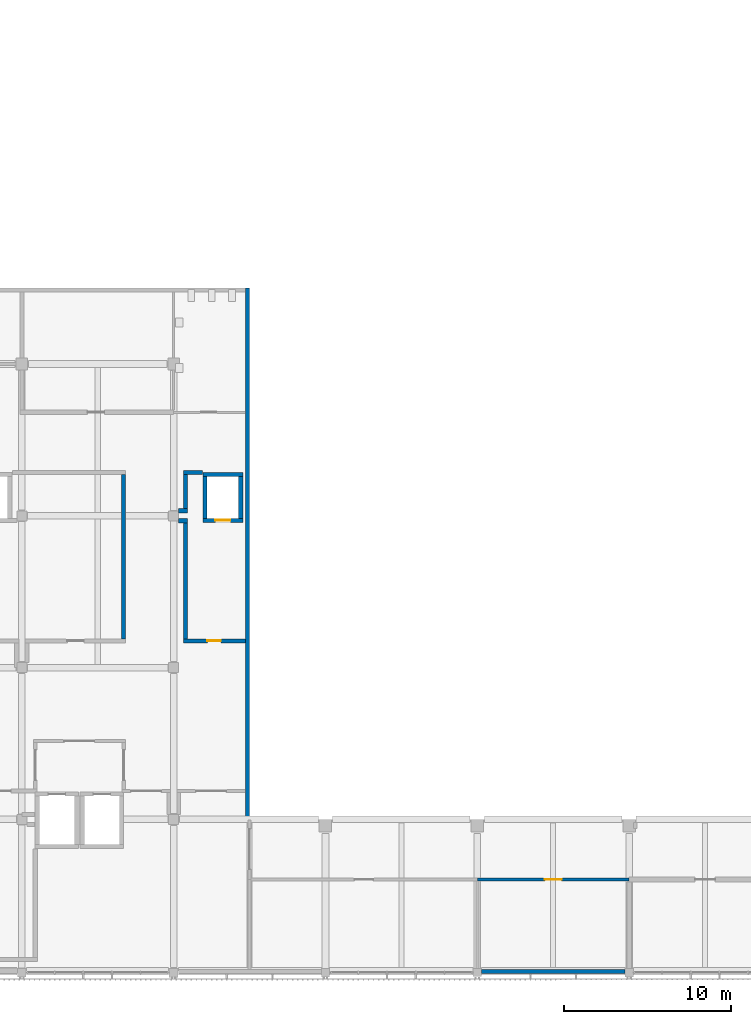
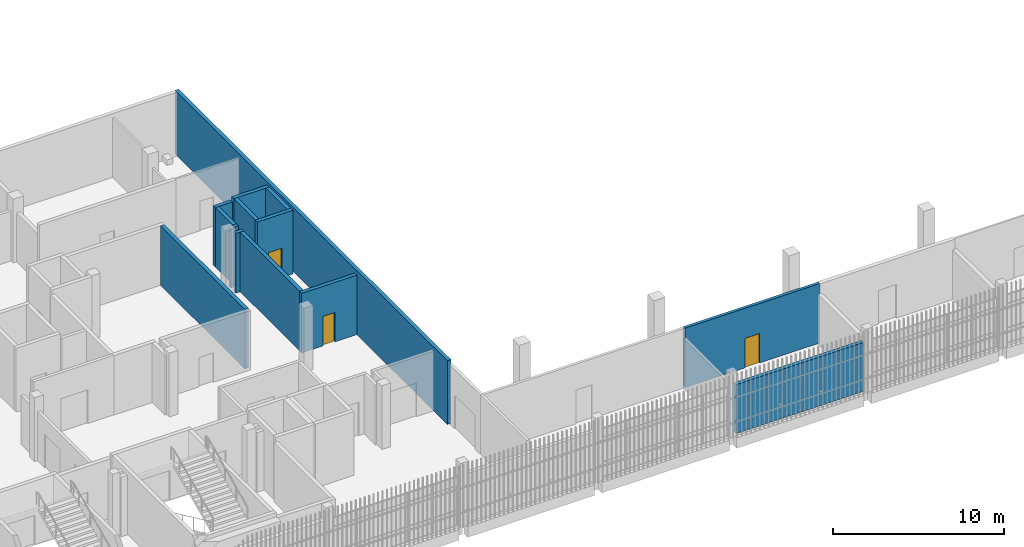
# One storey, part 68 of 124: 14 walls, 3 doors, 3 openings.
"""IFC4 building model written with IfcOpenShell, lengths in metres."""

from ifc_helpers import new_model, si_unit, direction, frame, frame_2d, origin, place, context, subcontext, project, spatial, rectangle, extrude, material, layer, layer_set, type_object, element, fill, save


model = new_model("IFC4")

# Units and contexts
model_context = context("Model", 3, precision=1e-05, world=origin(), true_north=direction((0.0, 1.0)))
body_context = subcontext(model_context, "Body", "Model", "MODEL_VIEW")
ifc_project = project(units=[si_unit("LENGTHUNIT", "METRE"), si_unit("AREAUNIT", "SQUARE_METRE"), si_unit("VOLUMEUNIT", "CUBIC_METRE"), si_unit("PLANEANGLEUNIT", "RADIAN"), si_unit("MASSUNIT", "GRAM", prefix="KILO")], contexts=[model_context])

# Site, building, storey
site_placement = place(None, origin())
site = spatial("IfcSite", under=ifc_project, at=site_placement, CompositionType="ELEMENT")
building_placement = place(site_placement, origin())
building = spatial("IfcBuilding", under=site, at=building_placement, Name="Shirokan Park Arena", CompositionType="ELEMENT")
storey_placement = place(building_placement, frame((0.0, 0.0, 20.02001953125)))
storey = spatial("IfcBuildingStorey", under=building, at=storey_placement, Name="L04", CompositionType="ELEMENT", Elevation=20.02001953125)

# Walls
ifc_material_1 = material(Name="Plaster")
ifc_layer_1 = layer(ifc_material_1, 0.014892578125, Name="Plaster")
ifc_material_2 = material(Name="Concrete blockwork", Category="masonry")
ifc_layer_2 = layer(ifc_material_2, 0.219970703125, Name="Concrete blockwork 220")
ifc_layer_3 = layer(ifc_material_1, 0.014892578125, Name="Plaster")
ifc_layer_set_1 = layer_set([ifc_layer_1, ifc_layer_2, ifc_layer_3], Name="Plaster + Concrete blockwork 220")
wall_type_1 = type_object("IfcWallType", Name="Compartment wall 250", PredefinedType="SOLIDWALL", material=ifc_layer_set_1)
wall_1_placement = place(storey_placement, frame((33.39990234375, 29.77490234375, 0.0), z_axis=(0.0, 0.0, 1.0), x_axis=(0.0, -1.0, 0.0)))
element("IfcWall", 1, at=wall_1_placement, inside=storey, type_object=wall_type_1, Name="Compartment wall 250 L04", PredefinedType="SOLIDWALL", context=body_context, shape_type="SweptSolid", body=[
    extrude(rectangle(XDim=9.849853515625, YDim=0.25, at=frame_2d((4.9248046875, 0.0))), origin(), (0.0, 0.0, 1.0), 4.25),
])
wall_2_placement = place(storey_placement, frame((36.699951171875, 27.0, 0.0), z_axis=(0.0, 0.0, 1.0), x_axis=(1.0, 0.0, 0.0)))
element("IfcWall", 2, at=wall_2_placement, inside=storey, type_object=wall_type_1, Name="Compartment wall 250 L04", PredefinedType="SOLIDWALL", context=body_context, shape_type="SweptSolid", body=[
    extrude(rectangle(XDim=0.525146484375, YDim=0.25, at=frame_2d((0.2626953125, 0.0))), origin(), (0.0, 0.0, 1.0), 4.25),
])

# Wall, opening, door
wall_3_placement = place(storey_placement, frame((36.97509765625, 19.800048828125, 0.0), z_axis=(0.0, 0.0, 1.0), x_axis=(1.0, 0.0, 0.0)))
wall_3 = element("IfcWall", 3, at=wall_3_placement, inside=storey, type_object=wall_type_1, Name="Compartment wall 250 L04", PredefinedType="SOLIDWALL", context=body_context, shape_type="SweptSolid", body=[
    extrude(rectangle(XDim=3.724853515625, YDim=0.25, at=frame_2d((1.8623046875, 0.0))), origin(), (0.0, 0.0, 1.0), 4.25),
])
opening_1_placement = place(wall_3_placement, frame((1.449951171875, 0.0, 0.0)))
opening_1 = element("IfcOpeningElement", 4, at=opening_1_placement, cuts=wall_3, Name="Opening D-4003", PredefinedType="OPENING", context=body_context, shape_type="SweptSolid", body=[
    extrude(rectangle(XDim=0.800048828125, YDim=2.10009765625, at=frame_2d((0.39990234375, 1.050048828125))), frame((0.0, 0.135009765625, 0.0), z_axis=(0.0, -1.0, 0.0), x_axis=(1.0, 0.0, 0.0)), (0.0, 0.0, 1.0), 0.27001953125),
])
ifc_material_3 = material(Name="Timber door set, fire resisting", Category="wood")
door_type_1 = type_object("IfcDoorType", Name="Cleaner store door 800 x 2100", OperationType="SINGLE_SWING_LEFT", PredefinedType="DOOR", material=ifc_material_3)
door_1_placement = place(opening_1_placement, origin())
door_1 = element("IfcDoor", 5, at=door_1_placement, inside=storey, type_object=door_type_1, Name="Door to Cleaner's Store 4.19 D-4003", OperationType="SINGLE_SWING_RIGHT", OverallHeight=2.10009765625, OverallWidth=0.800048828125, PredefinedType="DOOR", context=body_context, shape_type="SweptSolid", body=[
    extrude(rectangle(XDim=0.800048828125, YDim=2.10009765625, at=frame_2d((0.39990234375, 1.050048828125))), frame((0.0, 0.02490234375, 0.0), z_axis=(0.0, -1.0, 0.0), x_axis=(1.0, 0.0, 0.0)), (0.0, 0.0, 1.0), 0.050048828125),
])
fill(opening_1, door_1)

# Walls
wall_4_placement = place(storey_placement, frame((36.97509765625, 29.89990234375, 0.0), z_axis=(0.0, 0.0, 1.0), x_axis=(1.0, 0.0, 0.0)))
element("IfcWall", 6, at=wall_4_placement, inside=storey, type_object=wall_type_1, Name="Compartment wall 250 L04", PredefinedType="SOLIDWALL", context=body_context, shape_type="SweptSolid", body=[
    extrude(rectangle(XDim=1.14501953125, YDim=0.25, at=frame_2d((0.572509765625, 0.0))), origin(), (0.0, 0.0, 1.0), 4.25),
])
wall_5_placement = place(storey_placement, frame((37.10009765625, 26.875, 0.0), z_axis=(0.0, 0.0, 1.0), x_axis=(0.0, -1.0, 0.0)))
element("IfcWall", 7, at=wall_5_placement, inside=storey, type_object=wall_type_1, Name="Compartment wall 250 L04", PredefinedType="SOLIDWALL", context=body_context, shape_type="SweptSolid", body=[
    extrude(rectangle(XDim=6.949951171875, YDim=0.25, at=frame_2d((3.47509765625, 0.0))), origin(), (0.0, 0.0, 1.0), 4.25),
])
wall_6_placement = place(storey_placement, frame((37.10009765625, 29.77490234375, 0.0), z_axis=(0.0, 0.0, 1.0), x_axis=(0.0, -1.0, 0.0)))
element("IfcWall", 8, at=wall_6_placement, inside=storey, type_object=wall_type_1, Name="Compartment wall 250 L04", PredefinedType="SOLIDWALL", context=body_context, shape_type="SweptSolid", body=[
    extrude(rectangle(XDim=2.0498046875, YDim=0.25, at=frame_2d((1.02490234375, 0.0))), origin(), (0.0, 0.0, 1.0), 4.25),
])
wall_7_placement = place(storey_placement, frame((37.22509765625, 27.60009765625, 0.0), z_axis=(0.0, 0.0, 1.0), x_axis=(-1.0, 0.0, 0.0)))
element("IfcWall", 9, at=wall_7_placement, inside=storey, type_object=wall_type_1, Name="Compartment wall 250 L04", PredefinedType="SOLIDWALL", context=body_context, shape_type="SweptSolid", body=[
    extrude(rectangle(XDim=0.525146484375, YDim=0.25, at=frame_2d((0.2626953125, 0.0))), origin(), (0.0, 0.0, 1.0), 4.25),
])

# Wall, opening, door
ifc_material_4 = material(Name="Gypsum board")
ifc_layer_4 = layer(ifc_material_4, 0.02490234375, Name="Gypsum board, two layers")
ifc_material_5 = material(Name="Mineral wool insulation")
ifc_layer_5 = layer(ifc_material_5, 0.14990234375, Name="Mineral wool insulation")
ifc_layer_6 = layer(ifc_material_4, 0.02490234375, Name="Gypsum board, two layers")
ifc_layer_set_2 = layer_set([ifc_layer_4, ifc_layer_5, ifc_layer_6], Name="Gypsum board, two layers + Mineral wool insulation")
wall_type_2 = type_object("IfcWallType", Name="Corridor wall 200", PredefinedType="PARTITIONING", material=ifc_layer_set_2)
wall_8_placement = place(storey_placement, frame((63.699951171875, 5.5, 0.0), z_axis=(0.0, 0.0, 1.0), x_axis=(-1.0, 0.0, 0.0)))
wall_8 = element("IfcWall", 10, at=wall_8_placement, inside=storey, type_object=wall_type_2, Name="Corridor wall 200 L04", PredefinedType="PARTITIONING", context=body_context, shape_type="SweptSolid", body=[
    extrude(rectangle(XDim=9.099853515625, YDim=0.199951171875, at=frame_2d((4.5498046875, 0.0))), origin(), (0.0, 0.0, 1.0), 4.25),
])
opening_2_placement = place(wall_8_placement, frame((4.050048828125, 0.0, 0.0)))
opening_2 = element("IfcOpeningElement", 11, at=opening_2_placement, cuts=wall_8, Name="Opening D-4062", PredefinedType="OPENING", context=body_context, shape_type="SweptSolid", body=[
    extrude(rectangle(XDim=1.0, YDim=2.10009765625, at=frame_2d((0.5, 1.050048828125))), frame((0.0, 0.10986328125, 0.0), z_axis=(0.0, -1.0, 0.0), x_axis=(1.0, 0.0, 0.0)), (0.0, 0.0, 1.0), 0.219970703125),
])
door_type_2 = type_object("IfcDoorType", Name="Door 1000 x 2100", OperationType="SINGLE_SWING_LEFT", PredefinedType="DOOR", material=ifc_material_3)
door_2_placement = place(opening_2_placement, origin())
door_2 = element("IfcDoor", 12, at=door_2_placement, inside=storey, type_object=door_type_2, Name="Door to Referee Review Room 4.12 D-4062", OperationType="SINGLE_SWING_RIGHT", OverallHeight=2.10009765625, OverallWidth=1.0, PredefinedType="DOOR", context=body_context, shape_type="SweptSolid", body=[
    extrude(rectangle(XDim=1.0, YDim=2.10009765625, at=frame_2d((0.5, 1.050048828125))), frame((0.0, 0.02490234375, 0.0), z_axis=(0.0, -1.0, 0.0), x_axis=(1.0, 0.0, 0.0)), (0.0, 0.0, 1.0), 0.050048828125),
])
fill(opening_2, door_2)

# Walls
ifc_material_6 = material(Name="Concrete C40/50 precast", Category="concrete")
ifc_layer_7 = layer(ifc_material_6, 0.10009765625, Name="Concrete C40/50 precast")
ifc_layer_8 = layer(ifc_material_5, 0.10009765625, Name="Mineral wool insulation")
ifc_material_7 = material(Name="Gypsum board lining")
ifc_layer_9 = layer(ifc_material_7, 0.050048828125, Name="Gypsum board lining")
ifc_layer_set_3 = layer_set([ifc_layer_7, ifc_layer_8, ifc_layer_9], Name="Concrete C40/50 precast + Mineral wool insulation + Gypsum board lining")
wall_type_3 = type_object("IfcWallType", Name="Precast concrete panel wall 250", PredefinedType="SOLIDWALL", material=ifc_layer_set_3)
wall_9_placement = place(storey_placement, frame((54.85009765625, -0.02490234375, 0.0), z_axis=(0.0, 0.0, 1.0), x_axis=(1.0, 0.0, 0.0)))
element("IfcWall", 13, at=wall_9_placement, inside=storey, type_object=wall_type_3, Name="South facade wall bay 7 L04", PredefinedType="SOLIDWALL", context=body_context, shape_type="SweptSolid", body=[
    extrude(rectangle(XDim=8.599853515625, YDim=0.25, at=frame_2d((4.2998046875, 0.0))), origin(), (0.0, 0.0, 1.0), 3.5),
])
ifc_material_8 = material(Name="Concrete C35", Category="concrete")
ifc_layer_10 = layer(ifc_material_8, 0.25)
ifc_layer_set_4 = layer_set([ifc_layer_10], Name="Concrete C35 250 mm")
wall_type_4 = type_object("IfcWallType", Name="RC flank wall 250", PredefinedType="SHEAR", material=ifc_layer_set_4)
wall_10_placement = place(storey_placement, frame((40.824951171875, 40.949951171875, 0.0), z_axis=(0.0, 0.0, 1.0), x_axis=(0.0, -1.0, 0.0)))
element("IfcWall", 14, at=wall_10_placement, inside=storey, type_object=wall_type_4, Name="Flank wall S1 L04", PredefinedType="SHEAR", context=body_context, shape_type="SweptSolid", body=[
    extrude(rectangle(XDim=31.849853515625, YDim=0.25, at=frame_2d((15.9248046875, 0.0))), origin(), (0.0, 0.0, 1.0), 4.550048828125),
])

# Wall, opening, door
ifc_material_9 = material(Name="Concrete C40/50", Category="concrete")
ifc_layer_11 = layer(ifc_material_9, 0.25)
ifc_layer_set_5 = layer_set([ifc_layer_11], Name="Concrete C40/50 250 mm")
wall_type_5 = type_object("IfcWallType", Name="RC shear wall 250", PredefinedType="SHEAR", material=ifc_layer_set_5)
wall_11_placement = place(storey_placement, frame((40.550048828125, 27.02490234375, 0.0), z_axis=(0.0, 0.0, 1.0), x_axis=(-1.0, 0.0, 0.0)))
wall_11 = element("IfcWall", 15, at=wall_11_placement, inside=storey, type_object=wall_type_5, Name="Shaft wall Services Riser 1.1 S L04", PredefinedType="SHEAR", context=body_context, shape_type="SweptSolid", body=[
    extrude(rectangle(XDim=2.400146484375, YDim=0.25, at=frame_2d((1.2001953125, 0.0))), origin(), (0.0, 0.0, 1.0), 4.550048828125),
])
opening_3_placement = place(wall_11_placement, frame((0.75, 0.0, 0.0)))
opening_3 = element("IfcOpeningElement", 16, at=opening_3_placement, cuts=wall_11, Name="Opening D-4119", PredefinedType="OPENING", context=body_context, shape_type="SweptSolid", body=[
    extrude(rectangle(XDim=0.89990234375, YDim=2.10009765625, at=frame_2d((0.449951171875, 1.050048828125))), frame((0.0, 0.135009765625, 0.0), z_axis=(0.0, -1.0, 0.0), x_axis=(1.0, 0.0, 0.0)), (0.0, 0.0, 1.0), 0.27001953125),
])
ifc_material_10 = material(Name="Steel door set, fire resisting", Category="steel")
door_type_3 = type_object("IfcDoorType", Name="Electrical riser door 900 x 2100", OperationType="SINGLE_SWING_LEFT", PredefinedType="DOOR", material=ifc_material_10)
door_3_placement = place(opening_3_placement, origin())
door_3 = element("IfcDoor", 17, at=door_3_placement, inside=storey, type_object=door_type_3, Name="Riser access door Services Riser 1.1 D-4119", OperationType="SINGLE_SWING_RIGHT", OverallHeight=2.10009765625, OverallWidth=0.89990234375, PredefinedType="DOOR", context=body_context, shape_type="SweptSolid", body=[
    extrude(rectangle(XDim=0.89990234375, YDim=2.10009765625, at=frame_2d((0.449951171875, 1.050048828125))), frame((0.0, 0.02490234375, 0.0), z_axis=(0.0, -1.0, 0.0), x_axis=(1.0, 0.0, 0.0)), (0.0, 0.0, 1.0), 0.050048828125),
])
fill(opening_3, door_3)

# Walls
wall_12_placement = place(storey_placement, frame((40.550048828125, 29.77490234375, 0.0), z_axis=(0.0, 0.0, 1.0), x_axis=(-1.0, 0.0, 0.0)))
element("IfcWall", 18, at=wall_12_placement, inside=storey, type_object=wall_type_5, Name="Shaft wall Services Riser 1.1 N L04", PredefinedType="SHEAR", context=body_context, shape_type="SweptSolid", body=[
    extrude(rectangle(XDim=2.400146484375, YDim=0.25, at=frame_2d((1.2001953125, 0.0))), origin(), (0.0, 0.0, 1.0), 4.550048828125),
])
for number, where, z_axis, x_axis, name in (
    (19, (38.27490234375, 29.64990234375, 0.0), (0.0, 0.0, 1.0), (0.0, -1.0, 0.0), "Shaft wall Services Riser 1.1 W L04"),
    (20, (40.425048828125, 29.64990234375, 0.0), (0.0, 0.0, 1.0), (0.0, -1.0, 0.0), "Shaft wall Services Riser 1.1 E L04"),
):
    element("IfcWall", number, at=place(storey_placement, frame(where, z_axis=z_axis, x_axis=x_axis)), inside=storey, type_object=wall_type_5, Name=name, PredefinedType="SHEAR", context=body_context, shape_type="SweptSolid", body=[
        extrude(rectangle(XDim=2.5, YDim=0.25, at=frame_2d((1.25, 0.0))), origin(), (0.0, 0.0, 1.0), 4.550048828125),
    ])

save(model, "model.ifc")
